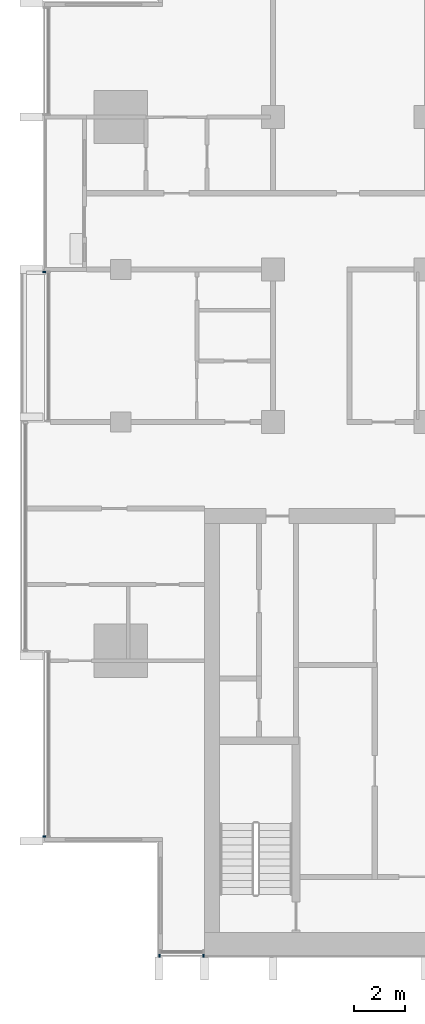
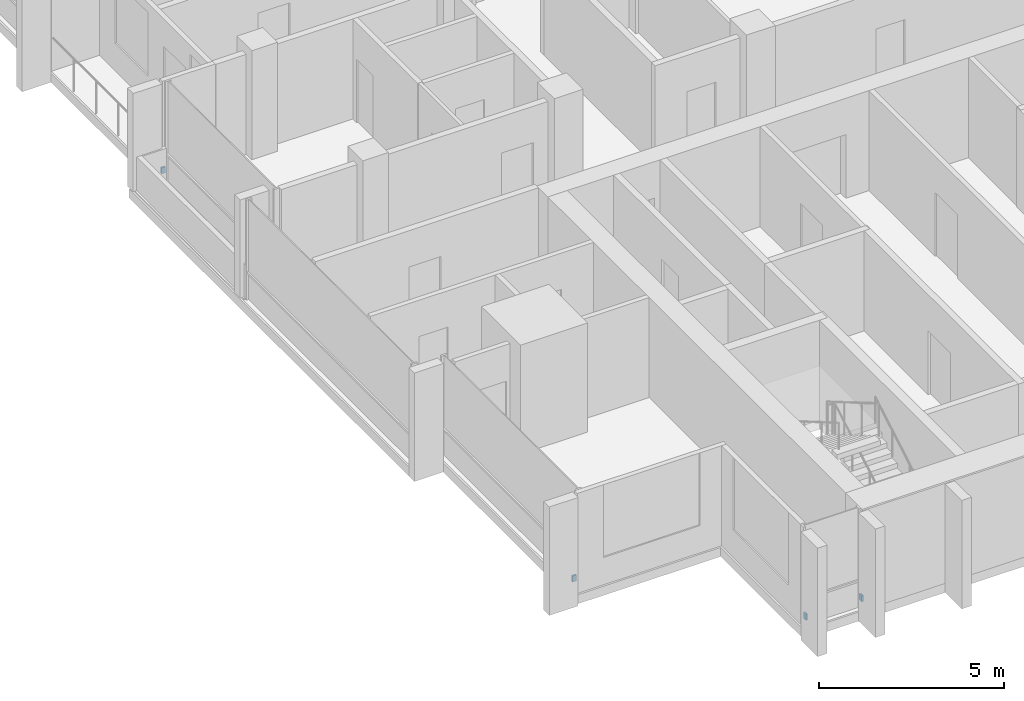
# One storey, part 12 of 16: 4 discrete accessories.
"""IFC4 building model written with IfcOpenShell, lengths in metres."""

from ifc_helpers import new_model, si_unit, direction, frame, origin, origin_2d, place, context, subcontext, project, spatial, rectangle, extrude, material, type_object, element, save


model = new_model("IFC4")

# Units and contexts
model_context = context("Model", 3, precision=1e-05, world=origin(), true_north=direction((0.0, 1.0)))
body_context = subcontext(model_context, "Body", "Model", "MODEL_VIEW")
ifc_project = project(units=[si_unit("LENGTHUNIT", "METRE"), si_unit("AREAUNIT", "SQUARE_METRE"), si_unit("VOLUMEUNIT", "CUBIC_METRE"), si_unit("PLANEANGLEUNIT", "RADIAN"), si_unit("MASSUNIT", "GRAM", prefix="KILO")], contexts=[model_context])

# Site, building, storey
site_placement = place(None, origin())
site = spatial("IfcSite", under=ifc_project, at=site_placement, CompositionType="ELEMENT")
building_placement = place(site_placement, origin())
building = spatial("IfcBuilding", under=site, at=building_placement, Name="Finial Court Residences", CompositionType="ELEMENT")
storey_placement = place(building_placement, frame((0.0, 0.0, 208.699951171875)))
storey = spatial("IfcBuildingStorey", under=building, at=storey_placement, Name="L52", CompositionType="ELEMENT", Elevation=208.699951171875)

# Discrete accessories
ifc_material = material(Name="Stainless steel 316", Category="steel")
discrete_accessory_type = type_object("IfcDiscreteAccessoryType", Name="Fin bracket, stainless steel 60 x 122 x 200", PredefinedType="BRACKET", material=ifc_material)
for number, where, z_axis, x_axis, name in (
    (1, (-14.969970703125, -25.498779296875, 0.30029296875), (0.0, 0.0, 1.0), (1.0, 0.0, 0.0), "E-L52-FIN-S13-BRK"),
    (2, (-13.22998046875, -25.498779296875, 0.30029296875), (0.0, 0.0, 1.0), (1.0, 0.0, 0.0), "E-L52-FIN-S14-BRK"),
):
    element("IfcDiscreteAccessory", number, at=place(storey_placement, frame(where, z_axis=z_axis, x_axis=x_axis)), inside=storey, type_object=discrete_accessory_type, Name=name, PredefinedType="BRACKET", context=body_context, shape_type="SweptSolid", body=[
        extrude(rectangle(XDim=0.06005859375, YDim=0.12255859375, at=origin_2d()), origin(), (0.0, 0.0, 1.0), 0.199951171875),
    ])
for number, where, z_axis, x_axis, name in (
    (3, (-19.498779296875, -20.820068359375, 0.30029296875), (0.0, 0.0, 1.0), (1.0, 0.0, 0.0), "E-L52-FIN-W21-BRK"),
    (4, (-19.498779296875, 1.39501953125, 0.30029296875), (0.0, 0.0, 1.0), (1.0, 0.0, 0.0), "E-L52-FIN-W24-BRK"),
):
    element("IfcDiscreteAccessory", number, at=place(storey_placement, frame(where, z_axis=z_axis, x_axis=x_axis)), inside=storey, type_object=discrete_accessory_type, Name=name, PredefinedType="BRACKET", context=body_context, shape_type="SweptSolid", body=[
        extrude(rectangle(XDim=0.12255859375, YDim=0.06005859375, at=origin_2d()), origin(), (0.0, 0.0, 1.0), 0.199951171875),
    ])

save(model, "model.ifc")
